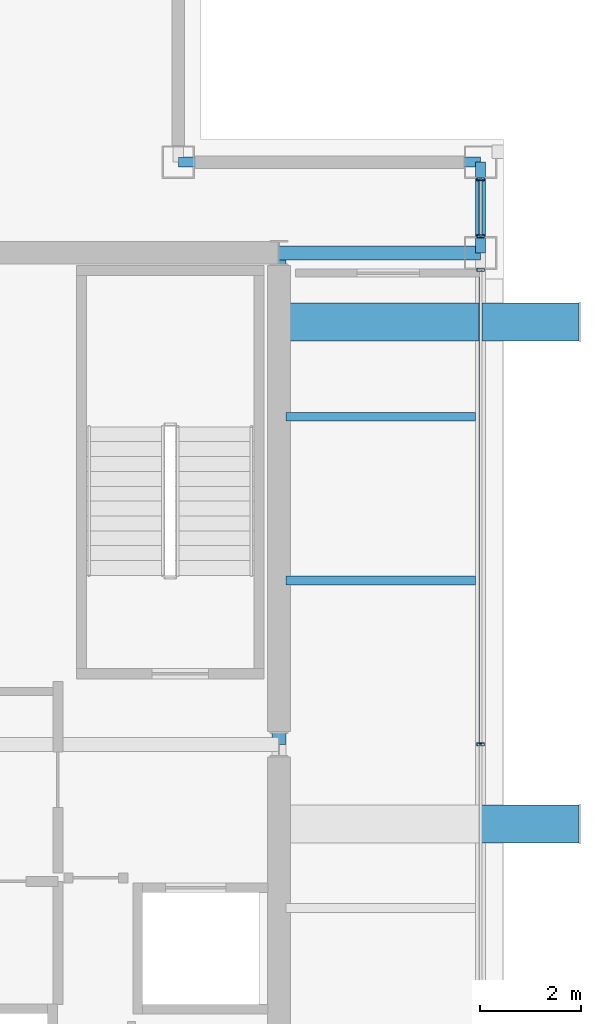
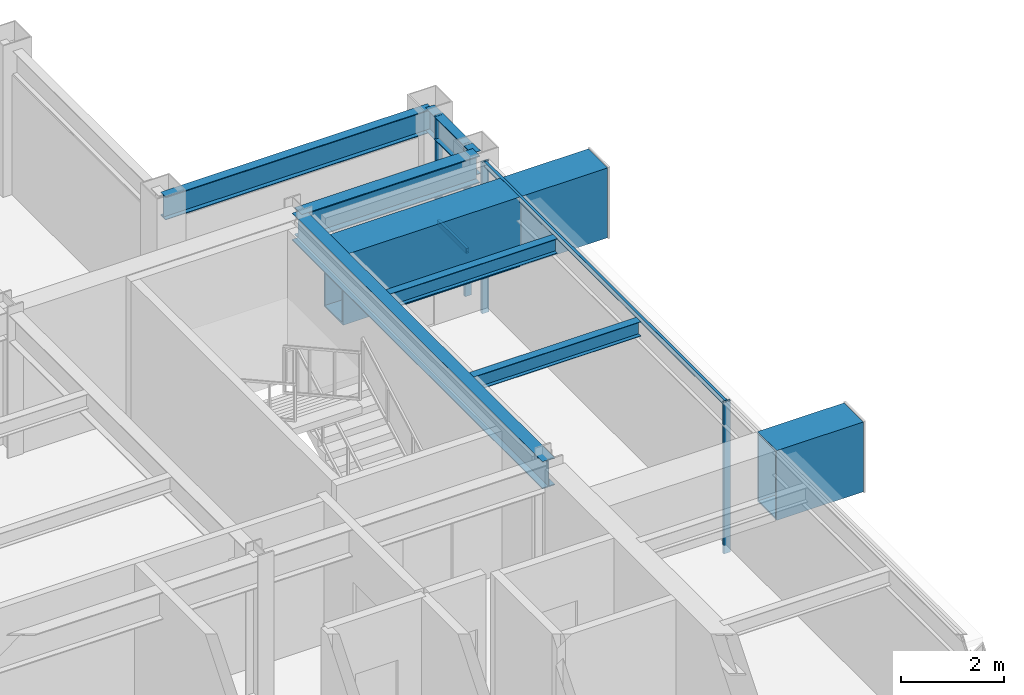
# One storey, part 12 of 20: 9 beams, 6 members, 2 elements without a shape of their own.
"""IFC4 building model written with IfcOpenShell, lengths in metres."""

from ifc_helpers import new_model, si_unit, direction, frame, origin, origin_2d, place, context, subcontext, project, spatial, hollow_rectangle, i_section, extrude, material, layer, layer_set, material_profile, profile_set, type_object, element, aggregate, save


model = new_model("IFC4")

# Units and contexts
model_context = context("Model", 3, precision=1e-05, world=origin(), true_north=direction((0.0, 1.0)))
body_context = subcontext(model_context, "Body", "Model", "MODEL_VIEW")
ifc_project = project(units=[si_unit("LENGTHUNIT", "METRE"), si_unit("AREAUNIT", "SQUARE_METRE"), si_unit("VOLUMEUNIT", "CUBIC_METRE"), si_unit("PLANEANGLEUNIT", "RADIAN"), si_unit("MASSUNIT", "GRAM", prefix="KILO")], contexts=[model_context])

# Site, building, storey
site_placement = place(None, origin())
site = spatial("IfcSite", under=ifc_project, at=site_placement, CompositionType="ELEMENT")
building_placement = place(site_placement, origin())
building = spatial("IfcBuilding", under=site, at=building_placement, Name="Brelmoor Portico Tower", CompositionType="ELEMENT")
storey_placement = place(building_placement, frame((0.0, 0.0, 218.39990234375)))
storey = spatial("IfcBuildingStorey", under=building, at=storey_placement, Name="L57", CompositionType="ELEMENT", Elevation=218.39990234375)

# Beams
ifc_material_1 = material(Name="Steel Q355B", Category="steel")
ifc_material_profile_1 = material_profile(ifc_material_1, i_section(OverallWidth=0.175048828125, OverallDepth=0.35009765625, WebThickness=0.007080078125, FlangeThickness=0.010986328125, at=origin_2d()), Name="HN 350x175x7x11")
ifc_profile_set_1 = profile_set([ifc_material_profile_1], Name="Steel Q355B")
beam_type_1 = type_object("IfcBeamType", Name="BM-JS-350", PredefinedType="JOIST", material=ifc_profile_set_1)
for number, where, z_axis, x_axis, name in (
    (1, (14.68994140625, 3.25, 3.22509765625), (1.0, 0.0, 0.0), (0.0, 1.0, 0.0), "L57 Secondary Wing Joist JS-E13"),
    (2, (14.68994140625, 6.5, 3.22509765625), (1.0, 0.0, 0.0), (0.0, 1.0, 0.0), "L57 Secondary Wing Joist JS-E14"),
):
    element("IfcBeam", number, at=place(storey_placement, frame(where, z_axis=z_axis, x_axis=x_axis)), inside=storey, type_object=beam_type_1, Name=name, PredefinedType="JOIST", context=body_context, shape_type="SweptSolid", body=[
        extrude(i_section(OverallWidth=0.175048828125, OverallDepth=0.35009765625, WebThickness=0.007080078125, FlangeThickness=0.010986328125, at=origin_2d()), origin(), (0.0, 0.0, 1.0), 3.760009765625),
    ])
ifc_material_profile_2 = material_profile(ifc_material_1, hollow_rectangle(XDim=0.75, YDim=1.659912109375, WallThickness=0.0419921875, at=origin_2d()), Name="BOX 750x1660x42")
ifc_profile_set_2 = profile_set([ifc_material_profile_2], Name="Steel Q355B")
beam_type_2 = type_object("IfcBeamType", Name="BM-PF-CANT", PredefinedType="BEAM", material=ifc_profile_set_2)
for number, where, z_axis, x_axis, name in (
    (3, (18.550048828125, -1.580078125, 2.570068359375), (1.0, 0.0, 0.0), (0.0, 1.0, 0.0), "L57 Picture-Frame Outrigger Transfer Cantilever PFB-03"),
    (4, (18.550048828125, 8.3798828125, 2.570068359375), (1.0, 0.0, 0.0), (0.0, 1.0, 0.0), "L57 Picture-Frame Outrigger Transfer Cantilever PFB-04"),
):
    element("IfcBeam", number, at=place(storey_placement, frame(where, z_axis=z_axis, x_axis=x_axis)), inside=storey, type_object=beam_type_2, Name=name, PredefinedType="BEAM", context=body_context, shape_type="SweptSolid", body=[
        extrude(hollow_rectangle(XDim=0.75, YDim=1.659912109375, WallThickness=0.0419921875, at=origin_2d()), origin(), (0.0, 0.0, 1.0), 1.949951171875),
    ])
ifc_material_profile_3 = material_profile(ifc_material_1, i_section(OverallWidth=0.280029296875, OverallDepth=0.64990234375, WebThickness=0.012939453125, FlangeThickness=0.02197265625, at=origin_2d()), Name="HN 650x280x13x22")
ifc_profile_set_3 = profile_set([ifc_material_profile_3], Name="Steel Q355B")
beam_type_3 = type_object("IfcBeamType", Name="BM-PG-650", PredefinedType="BEAM", material=ifc_profile_set_3)
beam_1_placement = place(storey_placement, frame((14.550048828125, 0.0, 3.0751953125), z_axis=(0.0, 1.0, 0.0), x_axis=(-1.0, 0.0, 0.0)))
element("IfcBeam", 5, at=beam_1_placement, inside=storey, type_object=beam_type_3, Name="L57 Primary Floor Girder PG-10", PredefinedType="BEAM", context=body_context, shape_type="SweptSolid", body=[
    extrude(i_section(OverallWidth=0.280029296875, OverallDepth=0.64990234375, WebThickness=0.012939453125, FlangeThickness=0.02197265625, at=origin_2d()), origin(), (0.0, 0.0, 1.0), 9.75),
])
beam_2_placement = place(storey_placement, frame((14.550048828125, 9.75, 3.0751953125), z_axis=(1.0, 0.0, 0.0), x_axis=(0.0, 1.0, 0.0)))
element("IfcBeam", 6, at=beam_2_placement, inside=storey, type_object=beam_type_3, Name="L57 Primary Floor Girder PG-23", PredefinedType="BEAM", context=body_context, shape_type="SweptSolid", body=[
    extrude(i_section(OverallWidth=0.280029296875, OverallDepth=0.64990234375, WebThickness=0.012939453125, FlangeThickness=0.02197265625, at=origin_2d()), origin(), (0.0, 0.0, 1.0), 4.0),
])
ifc_material_profile_4 = material_profile(ifc_material_1, i_section(OverallWidth=0.199951171875, OverallDepth=0.550048828125, WebThickness=0.010009765625, FlangeThickness=0.01611328125, at=origin_2d()), Name="HN 550x200x10x16")
ifc_profile_set_4 = profile_set([ifc_material_profile_4], Name="Steel Q355B")
beam_type_4 = type_object("IfcBeamType", Name="BM-SP-550", PredefinedType="SPANDREL", material=ifc_profile_set_4)
beam_3_placement = place(storey_placement, frame((12.550048828125, 11.550048828125, 3.125), z_axis=(1.0, 0.0, 0.0), x_axis=(0.0, 1.0, 0.0)))
element("IfcBeam", 7, at=beam_3_placement, inside=storey, type_object=beam_type_4, Name="L57 Perimeter Spandrel Beam SP-07", PredefinedType="SPANDREL", context=body_context, shape_type="SweptSolid", body=[
    extrude(i_section(OverallWidth=0.199951171875, OverallDepth=0.550048828125, WebThickness=0.010009765625, FlangeThickness=0.01611328125, at=origin_2d()), origin(), (0.0, 0.0, 1.0), 6.0),
])
beam_4_placement = place(storey_placement, frame((18.550048828125, 9.75, 3.125), z_axis=(0.0, 1.0, 0.0), x_axis=(-1.0, 0.0, 0.0)))
element("IfcBeam", 8, at=beam_4_placement, inside=storey, type_object=beam_type_4, Name="L57 Perimeter Spandrel Beam SP-20", PredefinedType="SPANDREL", context=body_context, shape_type="SweptSolid", body=[
    extrude(i_section(OverallWidth=0.199951171875, OverallDepth=0.550048828125, WebThickness=0.010009765625, FlangeThickness=0.01611328125, at=origin_2d()), origin(), (0.0, 0.0, 1.0), 1.800048828125),
])
ifc_material_profile_5 = material_profile(ifc_material_1, hollow_rectangle(XDim=0.75, YDim=1.659912109375, WallThickness=0.0419921875, at=origin_2d()), Name="BOX 750x1660x42")
ifc_profile_set_5 = profile_set([ifc_material_profile_5], Name="Steel Q355B")
beam_type_5 = type_object("IfcBeamType", Name="BM-TG-Z2", PredefinedType="BEAM", material=ifc_profile_set_5)
beam_5_placement = place(storey_placement, frame((14.550048828125, 8.3798828125, 2.570068359375), z_axis=(1.0, 0.0, 0.0), x_axis=(0.0, 1.0, 0.0)))
element("IfcBeam", 9, at=beam_5_placement, inside=storey, type_object=beam_type_5, Name="L57 Picture-Frame Backspan Transfer Girder PFBS-04", PredefinedType="BEAM", context=body_context, shape_type="SweptSolid", body=[
    extrude(hollow_rectangle(XDim=0.75, YDim=1.659912109375, WallThickness=0.0419921875, at=origin_2d()), origin(), (0.0, 0.0, 1.0), 4.0),
])

# Curtain wall, members
ifc_material_2 = material(Name="Anodised Aluminium Alloy 6063-T6", Category="aluminium")
ifc_layer_1 = layer(ifc_material_2, 0.179931640625)
ifc_layer_set_1 = layer_set([ifc_layer_1], Name="Anodised Aluminium Alloy 6063-T6")
curtain_wall_type_1 = type_object("IfcCurtainWallType", Name="CW-TOWER-Z4-XB", PredefinedType="NOTDEFINED", material=ifc_layer_set_1)
curtain_wall_1_placement = place(storey_placement, origin())
curtain_wall_1 = element("IfcCurtainWall", 10, at=curtain_wall_1_placement, inside=storey, type_object=curtain_wall_type_1, Name="L57 Curtain Wall CW-L57-04-2", PredefinedType="NOTDEFINED")
ifc_material_profile_6 = material_profile(ifc_material_2, hollow_rectangle(XDim=0.06005859375, YDim=0.14990234375, WallThickness=0.00390625, at=origin_2d()), Name="ALU MULLION 60x150")
ifc_profile_set_6 = profile_set([ifc_material_profile_6], Name="Anodised Aluminium Alloy 6063-T6")
member_type_1 = type_object("IfcMemberType", Name="MB-CW-MULL-150", PredefinedType="MULLION", material=ifc_profile_set_6)
member_1_placement = place(storey_placement, frame((18.550048828125, 0.0, -0.199951171875), z_axis=(0.0, 0.0, 1.0), x_axis=(0.0, 1.0, 0.0)))
member_1 = element("IfcMember", 11, at=member_1_placement, type_object=member_type_1, Name="CW-L57-04-2 Mullion 01", PredefinedType="MULLION", context=body_context, shape_type="SweptSolid", body=[
    extrude(hollow_rectangle(XDim=0.06005859375, YDim=0.14990234375, WallThickness=0.00390625, at=origin_2d()), origin(), (0.0, 0.0, 1.0), 3.60009765625),
])
member_2_placement = place(storey_placement, frame((18.550048828125, 9.4150390625, -0.199951171875), z_axis=(0.0, 0.0, 1.0), x_axis=(0.0, 1.0, 0.0)))
member_2 = element("IfcMember", 12, at=member_2_placement, type_object=member_type_1, Name="CW-L57-04-2 Mullion 02", PredefinedType="MULLION", context=body_context, shape_type="SweptSolid", body=[
    extrude(hollow_rectangle(XDim=0.06005859375, YDim=0.14990234375, WallThickness=0.00390625, at=origin_2d()), origin(), (0.0, 0.0, 1.0), 3.60009765625),
])

ifc_layer_2 = layer(ifc_material_2, 0.179931640625)
ifc_layer_set_2 = layer_set([ifc_layer_2], Name="Anodised Aluminium Alloy 6063-T6")
curtain_wall_type_2 = type_object("IfcCurtainWallType", Name="CW-TOWER-Z4", PredefinedType="NOTDEFINED", material=ifc_layer_set_2)
curtain_wall_2_placement = place(storey_placement, origin())
curtain_wall_2 = element("IfcCurtainWall", 13, at=curtain_wall_2_placement, inside=storey, type_object=curtain_wall_type_2, Name="L57 Curtain Wall CW-L57-04-3", PredefinedType="NOTDEFINED")
member_3_placement = place(storey_placement, frame((18.550048828125, 10.0849609375, -0.199951171875), z_axis=(0.0, 0.0, 1.0), x_axis=(0.0, 1.0, 0.0)))
member_3 = element("IfcMember", 14, at=member_3_placement, type_object=member_type_1, Name="CW-L57-04-3 Mullion 00", PredefinedType="MULLION", context=body_context, shape_type="SweptSolid", body=[
    extrude(hollow_rectangle(XDim=0.06005859375, YDim=0.14990234375, WallThickness=0.00390625, at=origin_2d()), origin(), (0.0, 0.0, 1.0), 3.60009765625),
])
member_4_placement = place(storey_placement, frame((18.550048828125, 11.215087890625, -0.199951171875), z_axis=(0.0, 0.0, 1.0), x_axis=(0.0, 1.0, 0.0)))
member_4 = element("IfcMember", 15, at=member_4_placement, type_object=member_type_1, Name="CW-L57-04-3 Mullion 01", PredefinedType="MULLION", context=body_context, shape_type="SweptSolid", body=[
    extrude(hollow_rectangle(XDim=0.06005859375, YDim=0.14990234375, WallThickness=0.00390625, at=origin_2d()), origin(), (0.0, 0.0, 1.0), 3.60009765625),
])

# Member
ifc_material_profile_7 = material_profile(ifc_material_2, hollow_rectangle(XDim=0.06005859375, YDim=0.125, WallThickness=0.00341796875, at=origin_2d()), Name="ALU TRANSOM 60x125")
ifc_profile_set_7 = profile_set([ifc_material_profile_7], Name="Anodised Aluminium Alloy 6063-T6")
member_type_2 = type_object("IfcMemberType", Name="MB-CW-TRAN-125", PredefinedType="USERDEFINED", material=ifc_profile_set_7)
member_5_placement = place(storey_placement, frame((18.550048828125, 0.0, 3.337646484375), z_axis=(0.0, 1.0, 0.0), x_axis=(-1.0, 0.0, 0.0)))
member_5 = element("IfcMember", 16, at=member_5_placement, type_object=member_type_2, Name="CW-L57-04-2 Transom 1-01", ObjectType="TRANSOM", PredefinedType="USERDEFINED", context=body_context, shape_type="SweptSolid", body=[
    extrude(hollow_rectangle(XDim=0.06005859375, YDim=0.125, WallThickness=0.00341796875, at=origin_2d()), origin(), (0.0, 0.0, 1.0), 9.4150390625),
])

aggregate(curtain_wall_1, [member_1, member_2, member_5])

member_6_placement = place(storey_placement, frame((18.550048828125, 10.0849609375, 0.85009765625), z_axis=(0.0, 1.0, 0.0), x_axis=(-1.0, 0.0, 0.0)))
member_6 = element("IfcMember", 17, at=member_6_placement, type_object=member_type_2, Name="CW-L57-04-3 Transom 1-00", ObjectType="TRANSOM", PredefinedType="USERDEFINED", context=body_context, shape_type="SweptSolid", body=[
    extrude(hollow_rectangle(XDim=0.06005859375, YDim=0.125, WallThickness=0.00341796875, at=origin_2d()), origin(), (0.0, 0.0, 1.0), 1.130126953125),
])

aggregate(curtain_wall_2, [member_3, member_4, member_6])

save(model, "model.ifc")
